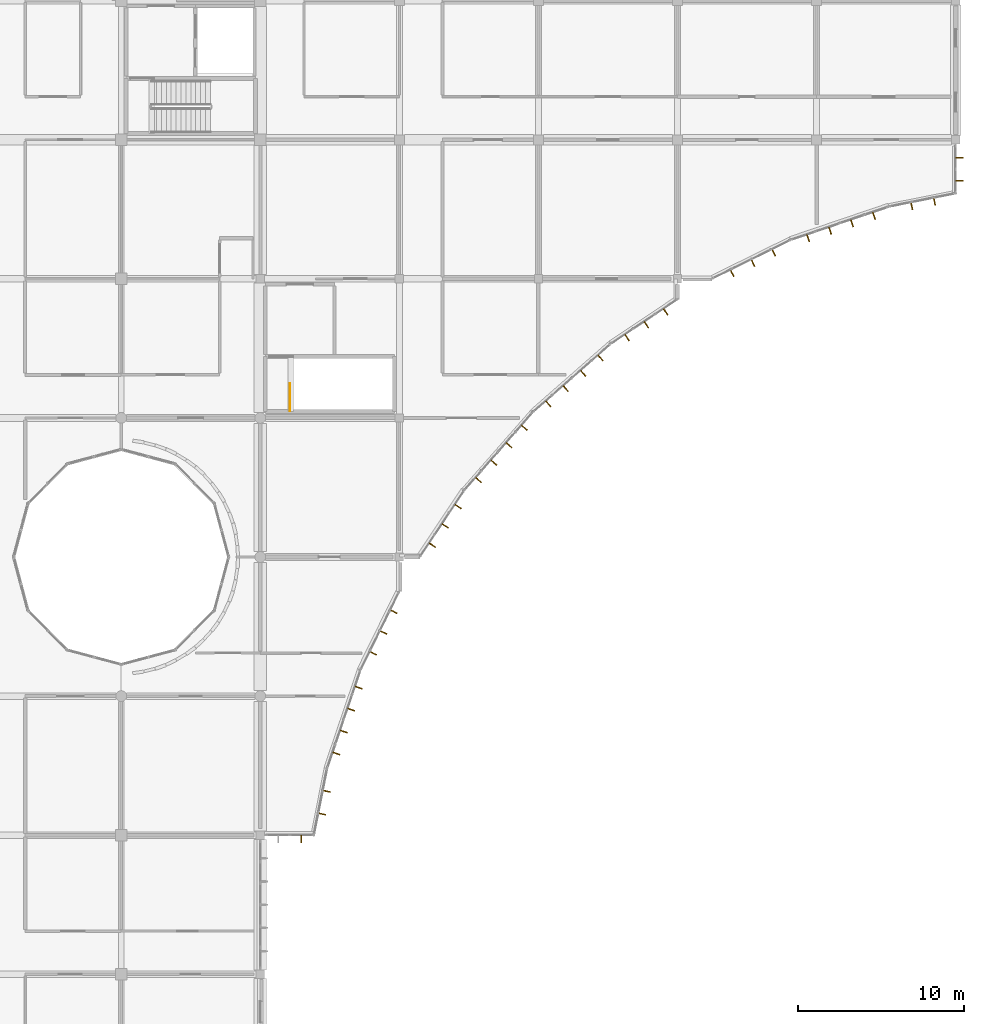
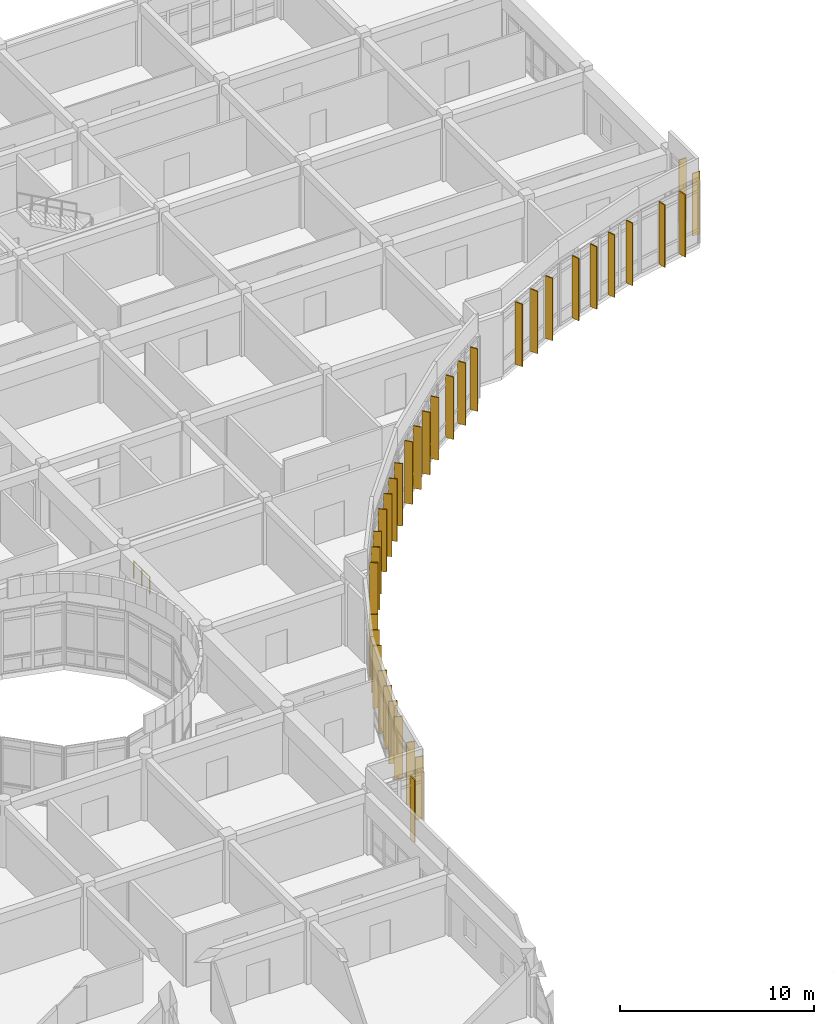
# One storey, part 117 of 119: 35 shading devices, 1 railing.
"""IFC4 building model written with IfcOpenShell, lengths in metres."""

from ifc_helpers import new_model, si_unit, direction, frame, origin, origin_2d, place, context, subcontext, project, spatial, rectangle, circle, extrude, material, material_profile, profile_set, type_object, element, save


model = new_model("IFC4")

# Units and contexts
model_context = context("Model", 3, precision=1e-05, world=origin(), true_north=direction((0.0, 1.0)))
body_context = subcontext(model_context, "Body", "Model", "MODEL_VIEW")
ifc_project = project(units=[si_unit("LENGTHUNIT", "METRE"), si_unit("AREAUNIT", "SQUARE_METRE"), si_unit("VOLUMEUNIT", "CUBIC_METRE"), si_unit("PLANEANGLEUNIT", "RADIAN"), si_unit("MASSUNIT", "GRAM", prefix="KILO")], contexts=[model_context])

# Site, building, storey
site_placement = place(None, origin())
site = spatial("IfcSite", under=ifc_project, at=site_placement, CompositionType="ELEMENT")
building_placement = place(site_placement, origin())
building = spatial("IfcBuilding", under=site, at=building_placement, Name="Bramfleet General Hospital", CompositionType="ELEMENT")
storey_placement = place(building_placement, frame((0.0, 0.0, 14.39990234375)))
storey = spatial("IfcBuildingStorey", under=building, at=storey_placement, Name="L03", CompositionType="ELEMENT", Elevation=14.39990234375)

# Railing
ifc_material_1 = material(Name="Powder-coated steel stair balustrade", Category="steel")
railing_type = type_object("IfcRailingType", Name="RAIL-ST-GUARD", PredefinedType="GUARDRAIL", material=ifc_material_1)
railing_placement = place(storey_placement, frame((127.7900390625, 76.02001953125, 0.0)))
element("IfcRailing", 1, at=railing_placement, inside=storey, type_object=railing_type, Name="L03 ST-C12 top well guard 1", PredefinedType="GUARDRAIL", context=body_context, shape_type="SweptSolid", body=[
    extrude(circle(Radius=0.02392578125, at=origin_2d()), frame((0.0, 0.0, 1.076171875), z_axis=(0.0, 1.0, 0.0), x_axis=(-1.0, 0.0, 0.0)), (0.0, 0.0, 1.0), 1.659912109375),
    extrude(circle(Radius=0.02099609375, at=origin_2d()), origin(), (0.0, 0.0, 1.0), 1.052001953125),
    extrude(circle(Radius=0.02099609375, at=origin_2d()), frame((0.0, 0.830078125, 0.0)), (0.0, 0.0, 1.0), 1.052001953125),
    extrude(circle(Radius=0.02099609375, at=origin_2d()), frame((0.0, 1.659912109375, 0.0)), (0.0, 0.0, 1.0), 1.052001953125),
])

# Shading devices
ifc_material_2 = material(Name="Treated European larch timber", Category="wood")
ifc_material_profile = material_profile(ifc_material_2, rectangle(XDim=0.06494140625, YDim=0.449951171875, at=origin_2d()), Name="LARCH FIN 450x65")
ifc_profile_set = profile_set([ifc_material_profile], Name="Treated European larch timber")
shading_device_type = type_object("IfcShadingDeviceType", Name="SHD-FIN-450", PredefinedType="USERDEFINED", material=ifc_profile_set)
for number, where, z_axis, x_axis, name in (
    (2, (168.239990234375, 91.320068359375, -0.02001953125), (0.0, 0.0, 1.0), (0.0, -1.0, 0.0), "L03 Larch Timber Shading Fin 559"),
    (3, (168.239990234375, 89.919921875, -0.02001953125), (0.0, 0.0, 1.0), (0.0, -1.0, 0.0), "L03 Larch Timber Shading Fin 560"),
    (4, (166.721923828125, 88.665771484375, -0.02001953125), (0.0, 0.0, 1.0), (-0.980749087161, -0.195272189606, 0.0), "L03 Larch Timber Shading Fin 561"),
    (5, (165.348876953125, 88.392333984375, -0.02001953125), (0.0, 0.0, 1.0), (-0.980749087161, -0.195272189606, 0.0), "L03 Larch Timber Shading Fin 562"),
    (6, (163.069580078125, 87.802490234375, -0.02001953125), (0.0, 0.0, 1.0), (-0.946949276617, -0.321383054181, 0.0), "L03 Larch Timber Shading Fin 563"),
    (7, (161.743896484375, 87.352783203125, -0.02001953125), (0.0, 0.0, 1.0), (-0.946949276617, -0.321383054181, 0.0), "L03 Larch Timber Shading Fin 564"),
    (8, (160.418212890625, 86.90283203125, -0.02001953125), (0.0, 0.0, 1.0), (-0.946949276617, -0.321383054181, 0.0), "L03 Larch Timber Shading Fin 565"),
    (9, (159.092529296875, 86.452880859375, -0.02001953125), (0.0, 0.0, 1.0), (-0.946949276617, -0.321383054181, 0.0), "L03 Larch Timber Shading Fin 566"),
    (10, (157.014404296875, 85.576904296875, -0.02001953125), (0.0, 0.0, 1.0), (-0.896864723513, -0.442304948782, 0.0), "L03 Larch Timber Shading Fin 567"),
    (11, (155.7587890625, 84.957763671875, -0.02001953125), (0.0, 0.0, 1.0), (-0.896864723513, -0.442304948782, 0.0), "L03 Larch Timber Shading Fin 568"),
    (12, (154.5029296875, 84.33837890625, -0.02001953125), (0.0, 0.0, 1.0), (-0.896864723513, -0.442304948782, 0.0), "L03 Larch Timber Shading Fin 569"),
    (13, (150.487060546875, 82.002197265625, -0.02001953125), (0.0, 0.0, 1.0), (-0.831540898988, -0.555463530135, 0.0), "L03 Larch Timber Shading Fin 570"),
    (14, (149.32275390625, 81.224365234375, -0.02001953125), (0.0, 0.0, 1.0), (-0.831540898988, -0.555463530135, 0.0), "L03 Larch Timber Shading Fin 571"),
    (15, (148.15869140625, 80.44677734375, -0.02001953125), (0.0, 0.0, 1.0), (-0.831540898988, -0.555463530135, 0.0), "L03 Larch Timber Shading Fin 572"),
    (16, (146.555908203125, 79.21533203125, -0.02001953125), (0.0, 0.0, 1.0), (-0.75178681735, -0.659406233864, 0.0), "L03 Larch Timber Shading Fin 573"),
    (17, (145.50341796875, 78.292236328125, -0.02001953125), (0.0, 0.0, 1.0), (-0.75178681735, -0.659406233864, 0.0), "L03 Larch Timber Shading Fin 574"),
    (18, (144.450927734375, 77.368896484375, -0.02001953125), (0.0, 0.0, 1.0), (-0.75178681735, -0.659406233864, 0.0), "L03 Larch Timber Shading Fin 575"),
    (19, (143.3984375, 76.44580078125, -0.02001953125), (0.0, 0.0, 1.0), (-0.75178681735, -0.659406233864, 0.0), "L03 Larch Timber Shading Fin 576"),
    (20, (141.9541015625, 75.00146484375, -0.02001953125), (0.0, 0.0, 1.0), (-0.659406233864, -0.75178681735, 0.0), "L03 Larch Timber Shading Fin 577"),
    (21, (141.031005859375, 73.948974609375, -0.02001953125), (0.0, 0.0, 1.0), (-0.659406233864, -0.75178681735, 0.0), "L03 Larch Timber Shading Fin 578"),
    (22, (140.10791015625, 72.896484375, -0.02001953125), (0.0, 0.0, 1.0), (-0.659406233864, -0.75178681735, 0.0), "L03 Larch Timber Shading Fin 579"),
    (23, (139.184814453125, 71.843994140625, -0.02001953125), (0.0, 0.0, 1.0), (-0.659406233864, -0.75178681735, 0.0), "L03 Larch Timber Shading Fin 580"),
    (24, (137.953125, 70.2412109375, -0.02001953125), (0.0, 0.0, 1.0), (-0.555463530135, -0.831540898988, 0.0), "L03 Larch Timber Shading Fin 581"),
    (25, (137.175537109375, 69.0771484375, -0.02001953125), (0.0, 0.0, 1.0), (-0.555463530135, -0.831540898988, 0.0), "L03 Larch Timber Shading Fin 582"),
    (26, (136.39794921875, 67.9130859375, -0.02001953125), (0.0, 0.0, 1.0), (-0.555463530135, -0.831540898988, 0.0), "L03 Larch Timber Shading Fin 583"),
    (27, (134.0615234375, 63.89697265625, -0.02001953125), (0.0, 0.0, 1.0), (-0.442304948782, -0.896864723513, 0.0), "L03 Larch Timber Shading Fin 584"),
    (28, (133.442138671875, 62.641357421875, -0.02001953125), (0.0, 0.0, 1.0), (-0.442304948782, -0.896864723513, 0.0), "L03 Larch Timber Shading Fin 585"),
    (29, (132.822998046875, 61.3857421875, -0.02001953125), (0.0, 0.0, 1.0), (-0.442304948782, -0.896864723513, 0.0), "L03 Larch Timber Shading Fin 586"),
    (30, (131.947265625, 59.3076171875, -0.02001953125), (0.0, 0.0, 1.0), (-0.321383054181, -0.946949276617, 0.0), "L03 Larch Timber Shading Fin 587"),
    (31, (131.497314453125, 57.981689453125, -0.02001953125), (0.0, 0.0, 1.0), (-0.321383054181, -0.946949276617, 0.0), "L03 Larch Timber Shading Fin 588"),
    (32, (131.04736328125, 56.656005859375, -0.02001953125), (0.0, 0.0, 1.0), (-0.321383054181, -0.946949276617, 0.0), "L03 Larch Timber Shading Fin 589"),
    (33, (130.597412109375, 55.330322265625, -0.02001953125), (0.0, 0.0, 1.0), (-0.321383054181, -0.946949276617, 0.0), "L03 Larch Timber Shading Fin 590"),
    (34, (130.007568359375, 53.05126953125, -0.02001953125), (0.0, 0.0, 1.0), (-0.195272189606, -0.980749087161, 0.0), "L03 Larch Timber Shading Fin 591"),
    (35, (129.734130859375, 51.677978515625, -0.02001953125), (0.0, 0.0, 1.0), (-0.195272189606, -0.980749087161, 0.0), "L03 Larch Timber Shading Fin 592"),
    (36, (128.47998046875, 50.159912109375, -0.02001953125), (0.0, 0.0, 1.0), (-1.0, 0.0, 0.0), "L03 Larch Timber Shading Fin 593"),
):
    element("IfcShadingDevice", number, at=place(storey_placement, frame(where, z_axis=z_axis, x_axis=x_axis)), inside=storey, type_object=shading_device_type, Name=name, ObjectType="Fin", PredefinedType="USERDEFINED", context=body_context, shape_type="SweptSolid", body=[
        extrude(rectangle(XDim=0.06494140625, YDim=0.449951171875, at=origin_2d()), origin(), (0.0, 0.0, 1.0), 3.920166015625),
    ])

save(model, "model.ifc")
